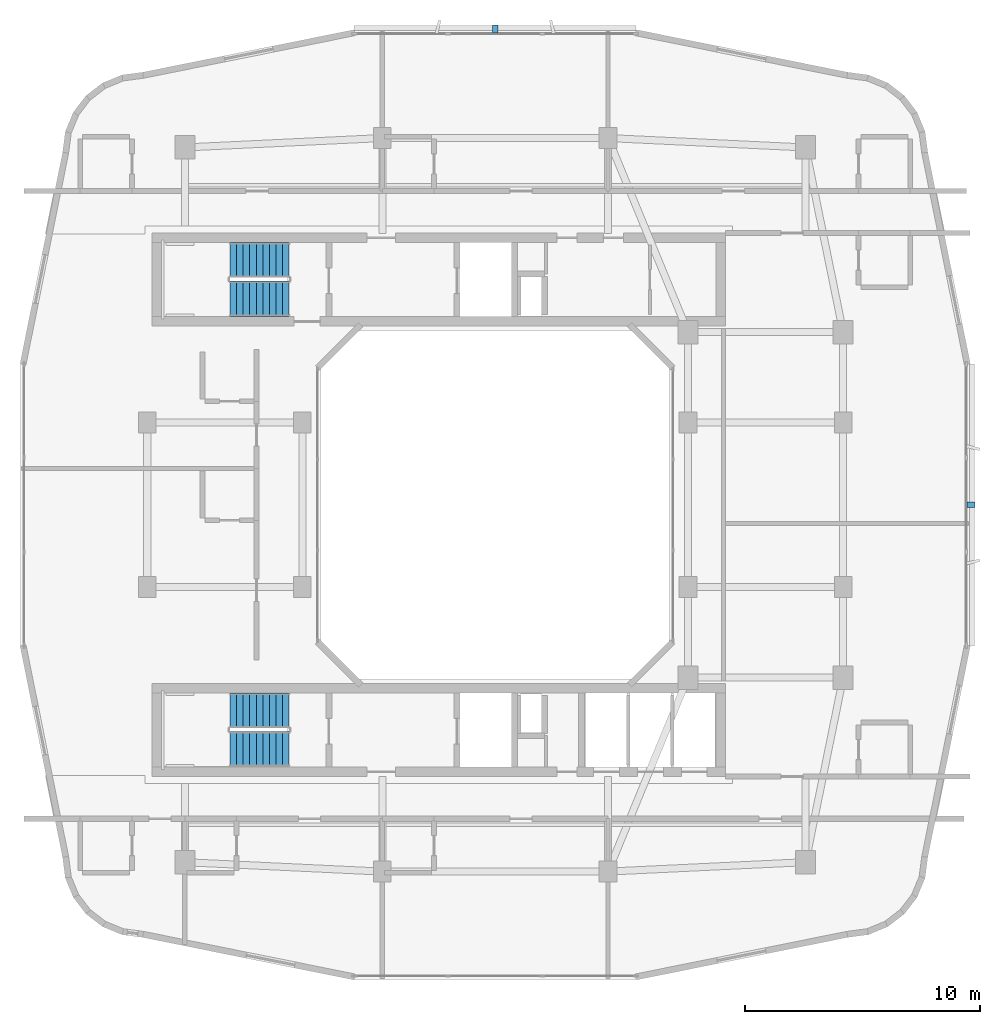
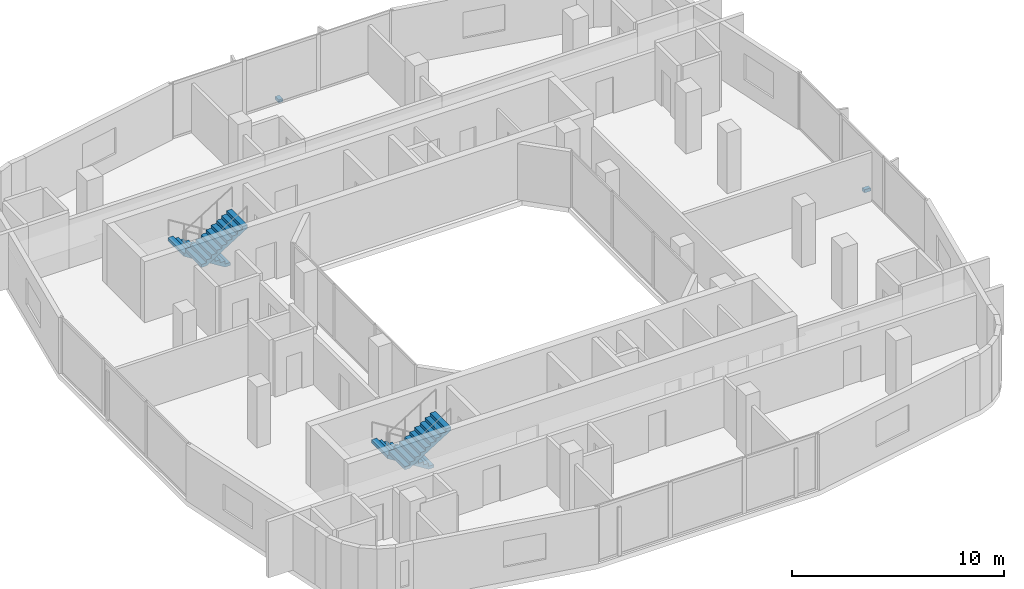
# One storey, part 10 of 14: 4 stair flights, 2 discrete accessories, 2 elements without a shape of their own.
"""IFC4 building model written with IfcOpenShell, lengths in metres."""

from ifc_helpers import new_model, si_unit, derived_unit, direction, frame, origin, origin_2d, place, context, subcontext, project, spatial, polyline, rectangle, outline, extrude, material, type_object, element, aggregate, save


model = new_model("IFC4")

# Units and contexts
model_context = context("Model", 3, precision=1e-05, world=origin(), true_north=direction((0.0, 1.0)))
body_context = subcontext(model_context, "Body", "Model", "MODEL_VIEW")
ifc_project = project(units=[si_unit("LENGTHUNIT", "METRE"), si_unit("AREAUNIT", "SQUARE_METRE"), si_unit("VOLUMEUNIT", "CUBIC_METRE"), si_unit("PLANEANGLEUNIT", "RADIAN"), si_unit("MASSUNIT", "GRAM", prefix="KILO"), derived_unit("THERMALTRANSMITTANCEUNIT", [(si_unit("POWERUNIT", "WATT"), 1), (si_unit("LENGTHUNIT", "METRE"), -2), (si_unit("THERMODYNAMICTEMPERATUREUNIT", "KELVIN"), -1)])], contexts=[model_context])

# Site, building, storey
site_placement = place(None, origin())
site = spatial("IfcSite", under=ifc_project, at=site_placement, CompositionType="ELEMENT")
building_placement = place(site_placement, origin())
building = spatial("IfcBuilding", under=site, at=building_placement, Name="Kivonza Crest Hotel", CompositionType="ELEMENT")
storey_placement = place(building_placement, frame((0.0, 0.0, 145.0)))
storey = spatial("IfcBuildingStorey", under=building, at=storey_placement, Name="L39", CompositionType="ELEMENT", Elevation=145.0)

# Stair, stair flights
ifc_material_1 = material(Name="Concrete C40/50", Category="concrete")
stair_type = type_object("IfcStairType", Name="ST-DL-20R", PredefinedType="HALF_TURN_STAIR", material=ifc_material_1)
stair_1_placement = place(storey_placement, origin())
stair_1 = element("IfcStair", 1, at=stair_1_placement, inside=storey, type_object=stair_type, Name="L39 Protected Exit Stair ST-T1-N", PredefinedType="HALF_TURN_STAIR")
stair_flight_type = type_object("IfcStairFlightType", Name="SFL-RC-10R", PredefinedType="STRAIGHT", material=ifc_material_1)
stair_flight_1_placement = place(storey_placement, frame((12.239990234375, 35.409912109375, 0.0), z_axis=(0.0, 0.0, 1.0), x_axis=(-1.0, 0.0, 0.0)))
stair_flight_1 = element("IfcStairFlight", 2, at=stair_flight_1_placement, type_object=stair_flight_type, Name="ST-T1-N flight 1", NumberOfRisers=10, NumberOfTreads=9, PredefinedType="STRAIGHT", RiserHeight=0.175, TreadLength=0.28, context=body_context, shape_type="SweptSolid", body=[
    extrude(outline(polyline([(0.0, 0.0), (0.0, 0.175048828125), (0.280029296875, 0.175048828125), (0.280029296875, 0.35009765625), (0.56005859375, 0.35009765625), (0.56005859375, 0.52490234375), (0.840087890625, 0.52490234375), (0.840087890625, 0.699951171875), (1.1201171875, 0.699951171875), (1.1201171875, 0.875), (1.39990234375, 0.875), (1.39990234375, 1.050048828125), (1.679931640625, 1.050048828125), (1.679931640625, 1.22509765625), (1.9599609375, 1.22509765625), (1.9599609375, 1.39990234375), (2.239990234375, 1.39990234375), (2.239990234375, 1.574951171875), (2.52001953125, 1.574951171875), (2.52001953125, 1.75), (2.52001953125, 1.398193359375), (0.28271484375, 0.0), (0.0, 0.0)])), frame((0.0, 0.75, 0.0), z_axis=(0.0, -1.0, 0.0), x_axis=(1.0, 0.0, 0.0)), (0.0, 0.0, 1.0), 1.5),
])
stair_flight_2_placement = place(storey_placement, frame((9.719970703125, 33.77001953125, 1.75), z_axis=(0.0, 0.0, 1.0), x_axis=(1.0, 0.0, 0.0)))
stair_flight_2 = element("IfcStairFlight", 3, at=stair_flight_2_placement, type_object=stair_flight_type, Name="ST-T1-N flight 2", NumberOfRisers=10, NumberOfTreads=9, PredefinedType="STRAIGHT", RiserHeight=0.175, TreadLength=0.28, context=body_context, shape_type="SweptSolid", body=[
    extrude(outline(polyline([(0.0, 0.0), (0.0, 0.175048828125), (0.280029296875, 0.175048828125), (0.280029296875, 0.35009765625), (0.56005859375, 0.35009765625), (0.56005859375, 0.52490234375), (0.840087890625, 0.52490234375), (0.840087890625, 0.699951171875), (1.1201171875, 0.699951171875), (1.1201171875, 0.875), (1.39990234375, 0.875), (1.39990234375, 1.050048828125), (1.679931640625, 1.050048828125), (1.679931640625, 1.22509765625), (1.9599609375, 1.22509765625), (1.9599609375, 1.39990234375), (2.239990234375, 1.39990234375), (2.239990234375, 1.574951171875), (2.52001953125, 1.574951171875), (2.52001953125, 1.75), (2.52001953125, 1.398193359375), (0.28271484375, 0.0), (0.0, 0.0)])), frame((0.0, 0.75, 0.0), z_axis=(0.0, -1.0, 0.0), x_axis=(1.0, 0.0, 0.0)), (0.0, 0.0, 1.0), 1.5),
])
aggregate(stair_1, [stair_flight_1, stair_flight_2])

stair_2_placement = place(storey_placement, origin())
stair_2 = element("IfcStair", 4, at=stair_2_placement, inside=storey, type_object=stair_type, Name="L39 Protected Exit Stair ST-T1-S", PredefinedType="HALF_TURN_STAIR")
stair_flight_3_placement = place(storey_placement, frame((12.239990234375, 16.25, 0.0), z_axis=(0.0, 0.0, 1.0), x_axis=(-1.0, 0.0, 0.0)))
stair_flight_3 = element("IfcStairFlight", 5, at=stair_flight_3_placement, type_object=stair_flight_type, Name="ST-T1-S flight 1", NumberOfRisers=10, NumberOfTreads=9, PredefinedType="STRAIGHT", RiserHeight=0.175, TreadLength=0.28, context=body_context, shape_type="SweptSolid", body=[
    extrude(outline(polyline([(0.0, 0.0), (0.0, 0.175048828125), (0.280029296875, 0.175048828125), (0.280029296875, 0.35009765625), (0.56005859375, 0.35009765625), (0.56005859375, 0.52490234375), (0.840087890625, 0.52490234375), (0.840087890625, 0.699951171875), (1.1201171875, 0.699951171875), (1.1201171875, 0.875), (1.39990234375, 0.875), (1.39990234375, 1.050048828125), (1.679931640625, 1.050048828125), (1.679931640625, 1.22509765625), (1.9599609375, 1.22509765625), (1.9599609375, 1.39990234375), (2.239990234375, 1.39990234375), (2.239990234375, 1.574951171875), (2.52001953125, 1.574951171875), (2.52001953125, 1.75), (2.52001953125, 1.398193359375), (0.28271484375, 0.0), (0.0, 0.0)])), frame((0.0, 0.75, 0.0), z_axis=(0.0, -1.0, 0.0), x_axis=(1.0, 0.0, 0.0)), (0.0, 0.0, 1.0), 1.5),
])
stair_flight_4_placement = place(storey_placement, frame((9.719970703125, 14.610107421875, 1.75), z_axis=(0.0, 0.0, 1.0), x_axis=(1.0, 0.0, 0.0)))
stair_flight_4 = element("IfcStairFlight", 6, at=stair_flight_4_placement, type_object=stair_flight_type, Name="ST-T1-S flight 2", NumberOfRisers=10, NumberOfTreads=9, PredefinedType="STRAIGHT", RiserHeight=0.175, TreadLength=0.28, context=body_context, shape_type="SweptSolid", body=[
    extrude(outline(polyline([(0.0, 0.0), (0.0, 0.175048828125), (0.280029296875, 0.175048828125), (0.280029296875, 0.35009765625), (0.56005859375, 0.35009765625), (0.56005859375, 0.52490234375), (0.840087890625, 0.52490234375), (0.840087890625, 0.699951171875), (1.1201171875, 0.699951171875), (1.1201171875, 0.875), (1.39990234375, 0.875), (1.39990234375, 1.050048828125), (1.679931640625, 1.050048828125), (1.679931640625, 1.22509765625), (1.9599609375, 1.22509765625), (1.9599609375, 1.39990234375), (2.239990234375, 1.39990234375), (2.239990234375, 1.574951171875), (2.52001953125, 1.574951171875), (2.52001953125, 1.75), (2.52001953125, 1.398193359375), (0.28271484375, 0.0), (0.0, 0.0)])), frame((0.0, 0.75, 0.0), z_axis=(0.0, -1.0, 0.0), x_axis=(1.0, 0.0, 0.0)), (0.0, 0.0, 1.0), 1.5),
])
aggregate(stair_2, [stair_flight_3, stair_flight_4])

# Discrete accessories
ifc_material_2 = material(Name="Stainless steel 316", Category="steel")
discrete_accessory_type = type_object("IfcDiscreteAccessoryType", Name="AC-BRACKET-240", PredefinedType="BRACKET", material=ifc_material_2)
for number, where, z_axis, x_axis, name in (
    (7, (41.239990234375, 25.0, -0.009765625), (0.0, 0.0, 1.0), (0.0, 1.0, 0.0), "L39 terracotta baguette support bracket CW-T1-L39-17"),
    (8, (21.0, 45.239990234375, -0.009765625), (0.0, 0.0, 1.0), (-1.0, 0.0, 0.0), "L39 terracotta baguette support bracket CW-T1-L39-26"),
):
    element("IfcDiscreteAccessory", number, at=place(storey_placement, frame(where, z_axis=z_axis, x_axis=x_axis)), inside=storey, type_object=discrete_accessory_type, Name=name, PredefinedType="BRACKET", context=body_context, shape_type="SweptSolid", body=[
        extrude(rectangle(XDim=0.219970703125, YDim=0.340087890625, at=origin_2d()), origin(), (0.0, 0.0, 1.0), 0.179931640625),
    ])

save(model, "model.ifc")
